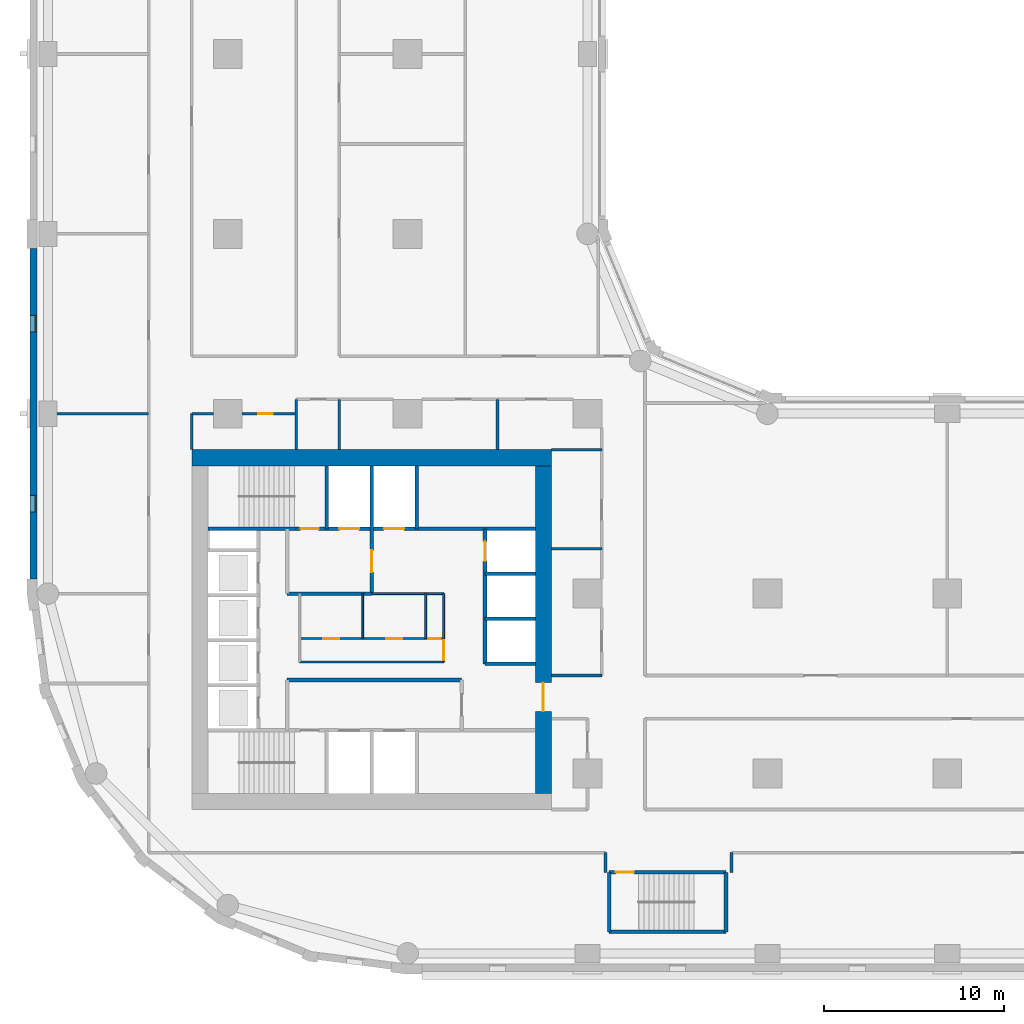
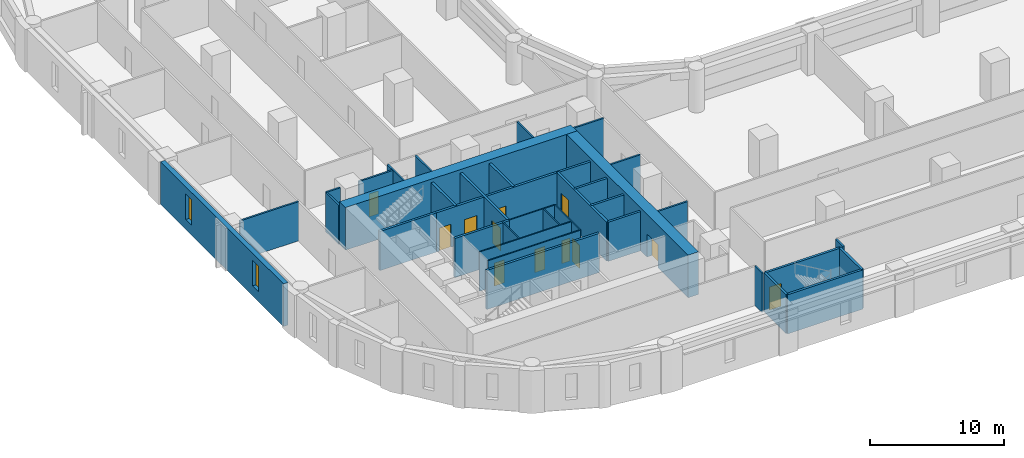
# One storey, part 3 of 10: 36 walls, 12 doors, 2 windows, 14 openings.
"""IFC4 building model written with IfcOpenShell, lengths in metres."""

from ifc_helpers import new_model, si_unit, direction, frame, frame_2d, origin, place, context, subcontext, project, spatial, rectangle, extrude, material, layer, layer_set, type_object, element, fill, save


model = new_model("IFC4")

# Units and contexts
model_context = context("Model", 3, precision=1e-05, world=origin(), true_north=direction((0.0, 1.0)))
body_context = subcontext(model_context, "Body", "Model", "MODEL_VIEW")
ifc_project = project(units=[si_unit("LENGTHUNIT", "METRE"), si_unit("AREAUNIT", "SQUARE_METRE"), si_unit("VOLUMEUNIT", "CUBIC_METRE"), si_unit("PLANEANGLEUNIT", "RADIAN"), si_unit("MASSUNIT", "GRAM", prefix="KILO")], contexts=[model_context])

# Site, building, storey
site_placement = place(None, origin())
site = spatial("IfcSite", under=ifc_project, at=site_placement, CompositionType="ELEMENT")
building_placement = place(site_placement, origin())
building = spatial("IfcBuilding", under=site, at=building_placement, Name="Qaws Garden Tower", CompositionType="ELEMENT")
storey_placement = place(building_placement, frame((0.0, 0.0, 66.60009765625)))
storey = spatial("IfcBuildingStorey", under=building, at=storey_placement, Name="L16", CompositionType="ELEMENT", Elevation=66.60009765625)

# Wall, openings, windows
ifc_material_1 = material(Name="Clay facing brick masonry", Category="masonry")
ifc_layer_1 = layer(ifc_material_1, 0.39990234375)
ifc_layer_set_1 = layer_set([ifc_layer_1], Name="Clay facing brick masonry")
wall_type_1 = type_object("IfcWallType", Name="Brick infill wall 400", PredefinedType="SOLIDWALL", material=ifc_layer_set_1)
wall_1_placement = place(storey_placement, frame((-0.800048828125, 39.199951171875, 0.0), z_axis=(0.0, 0.0, 1.0), x_axis=(0.0, -1.0, 0.0)))
wall_1 = element("IfcWall", 1, at=wall_1_placement, inside=storey, type_object=wall_type_1, Name="E-L16-infill-25", PredefinedType="SOLIDWALL", context=body_context, shape_type="SweptSolid", body=[
    extrude(rectangle(XDim=18.39990234375, YDim=0.39990234375, at=frame_2d((9.199951171875, 0.0))), origin(), (0.0, 0.0, 1.0), 3.89990234375),
])
opening_1_placement = place(wall_1_placement, frame((3.75, 0.0, 0.89990234375)))
opening_1 = element("IfcOpeningElement", 2, at=opening_1_placement, cuts=wall_1, Name="Opening W09", PredefinedType="OPENING", context=body_context, shape_type="SweptSolid", body=[
    extrude(rectangle(XDim=0.89990234375, YDim=2.35009765625, at=frame_2d((0.449951171875, 1.175048828125))), frame((0.0, 0.2099609375, 0.0), z_axis=(0.0, -1.0, 0.0), x_axis=(1.0, 0.0, 0.0)), (0.0, 0.0, 1.0), 0.419921875),
])
opening_2_placement = place(wall_1_placement, frame((13.75, 0.0, 0.89990234375)))
opening_2 = element("IfcOpeningElement", 3, at=opening_2_placement, cuts=wall_1, Name="Opening W09", PredefinedType="OPENING", context=body_context, shape_type="SweptSolid", body=[
    extrude(rectangle(XDim=0.89990234375, YDim=2.35009765625, at=frame_2d((0.449951171875, 1.175048828125))), frame((0.0, 0.2099609375, 0.0), z_axis=(0.0, -1.0, 0.0), x_axis=(1.0, 0.0, 0.0)), (0.0, 0.0, 1.0), 0.419921875),
])
ifc_material_2 = material(Name="Aluminium framed window, clear glazing", Category="aluminium")
window_type = type_object("IfcWindowType", Name="Slit window 900 x 2350", PartitioningType="SINGLE_PANEL", PredefinedType="WINDOW", material=ifc_material_2)
window_1_placement = place(opening_1_placement, origin())
window_1 = element("IfcWindow", 4, at=window_1_placement, inside=storey, type_object=window_type, Name="E-L16-window-25-0", OverallHeight=2.35009765625, OverallWidth=0.89990234375, PartitioningType="SINGLE_PANEL", PredefinedType="WINDOW", context=body_context, shape_type="SweptSolid", body=[
    extrude(rectangle(XDim=0.89990234375, YDim=2.35009765625, at=frame_2d((0.449951171875, 1.175048828125))), frame((0.0, 0.159912109375, 0.0), z_axis=(0.0, -1.0, 0.0), x_axis=(1.0, 0.0, 0.0)), (0.0, 0.0, 1.0), 0.06005859375),
])
fill(opening_1, window_1)
window_2_placement = place(opening_2_placement, origin())
window_2 = element("IfcWindow", 5, at=window_2_placement, inside=storey, type_object=window_type, Name="E-L16-window-26-0", OverallHeight=2.35009765625, OverallWidth=0.89990234375, PartitioningType="SINGLE_PANEL", PredefinedType="WINDOW", context=body_context, shape_type="SweptSolid", body=[
    extrude(rectangle(XDim=0.89990234375, YDim=2.35009765625, at=frame_2d((0.449951171875, 1.175048828125))), frame((0.0, 0.159912109375, 0.0), z_axis=(0.0, -1.0, 0.0), x_axis=(1.0, 0.0, 0.0)), (0.0, 0.0, 1.0), 0.06005859375),
])
fill(opening_2, window_2)

# Wall
ifc_material_3 = material(Name="Plasterboard")
ifc_layer_2 = layer(ifc_material_3, 0.10009765625)
ifc_layer_set_2 = layer_set([ifc_layer_2], Name="Plasterboard")
wall_type_2 = type_object("IfcWallType", Name="Core partition 100", PredefinedType="PARTITIONING", material=ifc_layer_set_2)
wall_2_placement = place(storey_placement, frame((14.0, 16.199951171875, 0.0), z_axis=(0.0, 0.0, 1.0), x_axis=(1.0, 0.0, 0.0)))
element("IfcWall", 6, at=wall_2_placement, inside=storey, type_object=wall_type_2, Name="Core partition", PredefinedType="PARTITIONING", context=body_context, shape_type="SweptSolid", body=[
    extrude(rectangle(XDim=8.0, YDim=0.10009765625, at=frame_2d((4.0, 0.0))), origin(), (0.0, 0.0, 1.0), 3.579833984375),
])

# Wall, openings, doors
wall_3_placement = place(storey_placement, frame((14.0, 17.5, 0.0), z_axis=(0.0, 0.0, 1.0), x_axis=(1.0, 0.0, 0.0)))
wall_3 = element("IfcWall", 7, at=wall_3_placement, inside=storey, type_object=wall_type_2, Name="Core partition", PredefinedType="PARTITIONING", context=body_context, shape_type="SweptSolid", body=[
    extrude(rectangle(XDim=8.0, YDim=0.10009765625, at=frame_2d((4.0, 0.0))), origin(), (0.0, 0.0, 1.0), 3.579833984375),
])
opening_3_placement = place(wall_3_placement, frame((1.300048828125, 0.0, 0.0)))
opening_3 = element("IfcOpeningElement", 8, at=opening_3_placement, cuts=wall_3, Name="Opening WD18", PredefinedType="OPENING", context=body_context, shape_type="SweptSolid", body=[
    extrude(rectangle(XDim=0.89990234375, YDim=2.10009765625, at=frame_2d((0.449951171875, 1.050048828125))), frame((0.0, 0.06005859375, 0.0), z_axis=(0.0, -1.0, 0.0), x_axis=(1.0, 0.0, 0.0)), (0.0, 0.0, 1.0), 0.1201171875),
])
opening_4_placement = place(wall_3_placement, frame((4.800048828125, 0.0, 0.0)))
opening_4 = element("IfcOpeningElement", 9, at=opening_4_placement, cuts=wall_3, Name="Opening WD19", PredefinedType="OPENING", context=body_context, shape_type="SweptSolid", body=[
    extrude(rectangle(XDim=0.89990234375, YDim=2.10009765625, at=frame_2d((0.449951171875, 1.050048828125))), frame((0.0, 0.06005859375, 0.0), z_axis=(0.0, -1.0, 0.0), x_axis=(1.0, 0.0, 0.0)), (0.0, 0.0, 1.0), 0.1201171875),
])
opening_5_placement = place(wall_3_placement, frame((7.14990234375, 0.0, 0.0)))
opening_5 = element("IfcOpeningElement", 10, at=opening_5_placement, cuts=wall_3, Name="Opening XD20", PredefinedType="OPENING", context=body_context, shape_type="SweptSolid", body=[
    extrude(rectangle(XDim=0.699951171875, YDim=2.10009765625, at=frame_2d((0.35009765625, 1.050048828125))), frame((0.0, 0.06005859375, 0.0), z_axis=(0.0, -1.0, 0.0), x_axis=(1.0, 0.0, 0.0)), (0.0, 0.0, 1.0), 0.1201171875),
])
ifc_material_4 = material(Name="Timber", Category="wood")
door_type_1 = type_object("IfcDoorType", Name="Store door 700x2100", OperationType="SINGLE_SWING_LEFT", PredefinedType="DOOR", material=ifc_material_4)
door_1_placement = place(opening_5_placement, origin())
door_1 = element("IfcDoor", 11, at=door_1_placement, inside=storey, type_object=door_type_1, Name="Cleaner's store door", OperationType="SINGLE_SWING_RIGHT", OverallHeight=2.10009765625, OverallWidth=0.699951171875, PredefinedType="DOOR", context=body_context, shape_type="SweptSolid", body=[
    extrude(rectangle(XDim=0.699951171875, YDim=2.10009765625, at=frame_2d((0.35009765625, 1.050048828125))), frame((0.0, 0.02490234375, 0.0), z_axis=(0.0, -1.0, 0.0), x_axis=(1.0, 0.0, 0.0)), (0.0, 0.0, 1.0), 0.050048828125),
])
fill(opening_5, door_1)
ifc_material_5 = material(Name="Timber", Category="wood")
door_type_2 = type_object("IfcDoorType", Name="WC door 900x2100", OperationType="SINGLE_SWING_LEFT", PredefinedType="DOOR", material=ifc_material_5)
door_2_placement = place(opening_3_placement, origin())
door_2 = element("IfcDoor", 12, at=door_2_placement, inside=storey, type_object=door_type_2, Name="Men's WC door", OperationType="SINGLE_SWING_RIGHT", OverallHeight=2.10009765625, OverallWidth=0.89990234375, PredefinedType="DOOR", context=body_context, shape_type="SweptSolid", body=[
    extrude(rectangle(XDim=0.89990234375, YDim=2.10009765625, at=frame_2d((0.449951171875, 1.050048828125))), frame((0.0, 0.02490234375, 0.0), z_axis=(0.0, -1.0, 0.0), x_axis=(1.0, 0.0, 0.0)), (0.0, 0.0, 1.0), 0.050048828125),
])
fill(opening_3, door_2)
door_3_placement = place(opening_4_placement, origin())
door_3 = element("IfcDoor", 13, at=door_3_placement, inside=storey, type_object=door_type_2, Name="Women's WC door", OperationType="SINGLE_SWING_RIGHT", OverallHeight=2.10009765625, OverallWidth=0.89990234375, PredefinedType="DOOR", context=body_context, shape_type="SweptSolid", body=[
    extrude(rectangle(XDim=0.89990234375, YDim=2.10009765625, at=frame_2d((0.449951171875, 1.050048828125))), frame((0.0, 0.02490234375, 0.0), z_axis=(0.0, -1.0, 0.0), x_axis=(1.0, 0.0, 0.0)), (0.0, 0.0, 1.0), 0.050048828125),
])
fill(opening_4, door_3)

# Walls
wall_4_placement = place(storey_placement, frame((18.0, 20.0, 0.0), z_axis=(0.0, 0.0, 1.0), x_axis=(1.0, 0.0, 0.0)))
element("IfcWall", 14, at=wall_4_placement, inside=storey, type_object=wall_type_2, Name="Core partition", PredefinedType="PARTITIONING", context=body_context, shape_type="SweptSolid", body=[
    extrude(rectangle(XDim=4.0, YDim=0.10009765625, at=frame_2d((2.0, 0.0))), origin(), (0.0, 0.0, 1.0), 3.579833984375),
])
for number, where, z_axis, x_axis, name in (
    (15, (17.5, 17.5, 0.0), (0.0, 0.0, 1.0), (0.0, 1.0, 0.0), "Core partition"),
    (16, (21.0, 17.5, 0.0), (0.0, 0.0, 1.0), (0.0, 1.0, 0.0), "Core partition"),
):
    element("IfcWall", number, at=place(storey_placement, frame(where, z_axis=z_axis, x_axis=x_axis)), inside=storey, type_object=wall_type_2, Name=name, PredefinedType="PARTITIONING", context=body_context, shape_type="SweptSolid", body=[
        extrude(rectangle(XDim=2.5, YDim=0.10009765625, at=frame_2d((1.25, 0.0))), origin(), (0.0, 0.0, 1.0), 3.579833984375),
    ])

# Wall, opening, door
wall_5_placement = place(storey_placement, frame((22.0, 16.199951171875, 0.0), z_axis=(0.0, 0.0, 1.0), x_axis=(0.0, 1.0, 0.0)))
wall_5 = element("IfcWall", 17, at=wall_5_placement, inside=storey, type_object=wall_type_2, Name="Core partition", PredefinedType="PARTITIONING", context=body_context, shape_type="SweptSolid", body=[
    extrude(rectangle(XDim=3.800048828125, YDim=0.10009765625, at=frame_2d((1.89990234375, 0.0))), origin(), (0.0, 0.0, 1.0), 3.579833984375),
])
opening_6_placement = place(wall_5_placement, frame((0.10009765625, 0.0, 0.0)))
opening_6 = element("IfcOpeningElement", 18, at=opening_6_placement, cuts=wall_5, Name="Opening WL17", PredefinedType="OPENING", context=body_context, shape_type="SweptSolid", body=[
    extrude(rectangle(XDim=1.10009765625, YDim=2.10009765625, at=frame_2d((0.550048828125, 1.050048828125))), frame((0.0, 0.06005859375, 0.0), z_axis=(0.0, -1.0, 0.0), x_axis=(1.0, 0.0, 0.0)), (0.0, 0.0, 1.0), 0.1201171875),
])
ifc_material_6 = material(Name="Timber", Category="wood")
door_type_3 = type_object("IfcDoorType", Name="WC lobby door 1100x2100", OperationType="SINGLE_SWING_LEFT", PredefinedType="DOOR", material=ifc_material_6)
door_4_placement = place(opening_6_placement, origin())
door_4 = element("IfcDoor", 19, at=door_4_placement, inside=storey, type_object=door_type_3, Name="WC lobby door", OperationType="SINGLE_SWING_RIGHT", OverallHeight=2.10009765625, OverallWidth=1.10009765625, PredefinedType="DOOR", context=body_context, shape_type="SweptSolid", body=[
    extrude(rectangle(XDim=1.10009765625, YDim=2.10009765625, at=frame_2d((0.550048828125, 1.050048828125))), frame((0.0, 0.02490234375, 0.0), z_axis=(0.0, -1.0, 0.0), x_axis=(1.0, 0.0, 0.0)), (0.0, 0.0, 1.0), 0.050048828125),
])
fill(opening_6, door_4)

# Wall
ifc_material_7 = material(Name="Concrete C80", Category="concrete")
ifc_layer_3 = layer(ifc_material_7, 0.199951171875)
ifc_layer_set_3 = layer_set([ifc_layer_3], Name="Concrete C80")
wall_type_3 = type_object("IfcWallType", Name="Core shaft wall 200 C80", PredefinedType="SHEAR", material=ifc_layer_set_3)
wall_6_placement = place(storey_placement, frame((31.199951171875, 1.199951171875, 0.0), z_axis=(0.0, 0.0, 1.0), x_axis=(1.0, 0.0, 0.0)))
element("IfcWall", 20, at=wall_6_placement, inside=storey, type_object=wall_type_3, Name="Shaft wall", PredefinedType="SHEAR", context=body_context, shape_type="SweptSolid", body=[
    extrude(rectangle(XDim=6.5, YDim=0.199951171875, at=frame_2d((3.25, 0.0))), origin(), (0.0, 0.0, 1.0), 3.579833984375),
])

# Wall, opening, door
wall_7_placement = place(storey_placement, frame((31.199951171875, 4.5, 0.0), z_axis=(0.0, 0.0, 1.0), x_axis=(1.0, 0.0, 0.0)))
wall_7 = element("IfcWall", 21, at=wall_7_placement, inside=storey, type_object=wall_type_3, Name="Shaft wall", PredefinedType="SHEAR", context=body_context, shape_type="SweptSolid", body=[
    extrude(rectangle(XDim=6.5, YDim=0.199951171875, at=frame_2d((3.25, 0.0))), origin(), (0.0, 0.0, 1.0), 3.579833984375),
])
opening_7_placement = place(wall_7_placement, frame((0.375, 0.0, 0.0)))
opening_7 = element("IfcOpeningElement", 22, at=opening_7_placement, cuts=wall_7, Name="Opening SD12", PredefinedType="OPENING", context=body_context, shape_type="SweptSolid", body=[
    extrude(rectangle(XDim=1.0, YDim=2.10009765625, at=frame_2d((0.5, 1.050048828125))), frame((0.0, 0.10986328125, 0.0), z_axis=(0.0, -1.0, 0.0), x_axis=(1.0, 0.0, 0.0)), (0.0, 0.0, 1.0), 0.219970703125),
])
ifc_material_8 = material(Name="Steel S235", Category="steel")
door_type_4 = type_object("IfcDoorType", Name="Stair door 1000x2100", OperationType="SINGLE_SWING_RIGHT", PredefinedType="DOOR", material=ifc_material_8)
door_5_placement = place(opening_7_placement, frame((1.0, 0.0, 0.0), z_axis=(0.0, 0.0, 1.0), x_axis=(-1.0, 0.0, 0.0)))
door_5 = element("IfcDoor", 23, at=door_5_placement, inside=storey, type_object=door_type_4, Name="Stair 5 door", OperationType="SINGLE_SWING_RIGHT", OverallHeight=2.10009765625, OverallWidth=1.0, PredefinedType="DOOR", context=body_context, shape_type="SweptSolid", body=[
    extrude(rectangle(XDim=1.0, YDim=2.10009765625, at=frame_2d((0.5, 1.050048828125))), frame((0.0, 0.02490234375, 0.0), z_axis=(0.0, -1.0, 0.0), x_axis=(1.0, 0.0, 0.0)), (0.0, 0.0, 1.0), 0.050048828125),
])
fill(opening_7, door_5)

# Walls
wall_8_placement = place(storey_placement, frame((13.300048828125, 15.199951171875, 0.0), z_axis=(0.0, 0.0, 1.0), x_axis=(1.0, 0.0, 0.0)))
element("IfcWall", 24, at=wall_8_placement, inside=storey, type_object=wall_type_3, Name="Shaft wall", PredefinedType="SHEAR", context=body_context, shape_type="SweptSolid", body=[
    extrude(rectangle(XDim=9.699951171875, YDim=0.199951171875, at=frame_2d((4.85009765625, 0.0))), origin(), (0.0, 0.0, 1.0), 3.579833984375),
])
for number, where, z_axis, x_axis, name in (
    (25, (24.300048828125, 16.10009765625, 0.0), (0.0, 0.0, 1.0), (1.0, 0.0, 0.0), "Shaft wall"),
    (26, (24.300048828125, 18.60009765625, 0.0), (0.0, 0.0, 1.0), (1.0, 0.0, 0.0), "Shaft wall"),
):
    element("IfcWall", number, at=place(storey_placement, frame(where, z_axis=z_axis, x_axis=x_axis)), inside=storey, type_object=wall_type_3, Name=name, PredefinedType="SHEAR", context=body_context, shape_type="SweptSolid", body=[
        extrude(rectangle(XDim=2.800048828125, YDim=0.199951171875, at=frame_2d((1.39990234375, 0.0))), origin(), (0.0, 0.0, 1.0), 3.579833984375),
    ])
wall_9_placement = place(storey_placement, frame((13.300048828125, 20.0, 0.0), z_axis=(0.0, 0.0, 1.0), x_axis=(1.0, 0.0, 0.0)))
element("IfcWall", 27, at=wall_9_placement, inside=storey, type_object=wall_type_3, Name="Shaft wall", PredefinedType="SHEAR", context=body_context, shape_type="SweptSolid", body=[
    extrude(rectangle(XDim=4.699951171875, YDim=0.199951171875, at=frame_2d((2.35009765625, 0.0))), origin(), (0.0, 0.0, 1.0), 3.579833984375),
])
wall_10_placement = place(storey_placement, frame((24.300048828125, 21.10009765625, 0.0), z_axis=(0.0, 0.0, 1.0), x_axis=(1.0, 0.0, 0.0)))
element("IfcWall", 28, at=wall_10_placement, inside=storey, type_object=wall_type_3, Name="Shaft wall", PredefinedType="SHEAR", context=body_context, shape_type="SweptSolid", body=[
    extrude(rectangle(XDim=2.800048828125, YDim=0.199951171875, at=frame_2d((1.39990234375, 0.0))), origin(), (0.0, 0.0, 1.0), 3.579833984375),
])
wall_11_placement = place(storey_placement, frame((8.89990234375, 23.60009765625, 0.0), z_axis=(0.0, 0.0, 1.0), x_axis=(1.0, 0.0, 0.0)))
element("IfcWall", 29, at=wall_11_placement, inside=storey, type_object=wall_type_3, Name="Shaft wall", PredefinedType="SHEAR", context=body_context, shape_type="SweptSolid", body=[
    extrude(rectangle(XDim=4.900146484375, YDim=0.199951171875, at=frame_2d((2.4501953125, 0.0))), origin(), (0.0, 0.0, 1.0), 3.579833984375),
])

# Wall, openings, doors
wall_12_placement = place(storey_placement, frame((13.800048828125, 23.60009765625, 0.0), z_axis=(0.0, 0.0, 1.0), x_axis=(1.0, 0.0, 0.0)))
wall_12 = element("IfcWall", 30, at=wall_12_placement, inside=storey, type_object=wall_type_3, Name="Shaft wall", PredefinedType="SHEAR", context=body_context, shape_type="SweptSolid", body=[
    extrude(rectangle(XDim=13.300048828125, YDim=0.199951171875, at=frame_2d((6.64990234375, 0.0))), origin(), (0.0, 0.0, 1.0), 3.579833984375),
])
opening_8_placement = place(wall_12_placement, frame((2.39990234375, 0.0, 0.0)))
opening_8 = element("IfcOpeningElement", 31, at=opening_8_placement, cuts=wall_12, Name="Opening LD08", PredefinedType="OPENING", context=body_context, shape_type="SweptSolid", body=[
    extrude(rectangle(XDim=1.10009765625, YDim=2.10009765625, at=frame_2d((0.550048828125, 1.050048828125))), frame((0.0, 0.10986328125, 0.0), z_axis=(0.0, -1.0, 0.0), x_axis=(1.0, 0.0, 0.0)), (0.0, 0.0, 1.0), 0.219970703125),
])
opening_9_placement = place(wall_12_placement, frame((4.89990234375, 0.0, 0.0)))
opening_9 = element("IfcOpeningElement", 32, at=opening_9_placement, cuts=wall_12, Name="Opening LD09", PredefinedType="OPENING", context=body_context, shape_type="SweptSolid", body=[
    extrude(rectangle(XDim=1.10009765625, YDim=2.10009765625, at=frame_2d((0.550048828125, 1.050048828125))), frame((0.0, 0.10986328125, 0.0), z_axis=(0.0, -1.0, 0.0), x_axis=(1.0, 0.0, 0.0)), (0.0, 0.0, 1.0), 0.219970703125),
])
opening_10_placement = place(wall_12_placement, frame((0.25, 0.0, 0.0)))
opening_10 = element("IfcOpeningElement", 33, at=opening_10_placement, cuts=wall_12, Name="Opening SD11", PredefinedType="OPENING", context=body_context, shape_type="SweptSolid", body=[
    extrude(rectangle(XDim=1.0, YDim=2.10009765625, at=frame_2d((0.5, 1.050048828125))), frame((0.0, 0.10986328125, 0.0), z_axis=(0.0, -1.0, 0.0), x_axis=(1.0, 0.0, 0.0)), (0.0, 0.0, 1.0), 0.219970703125),
])
ifc_material_9 = material(Name="Steel S235", Category="steel")
door_type_5 = type_object("IfcDoorType", Name="Landing door 1100x2100", OperationType="DOUBLE_DOOR_SLIDING", PredefinedType="DOOR", material=ifc_material_9)
door_6_placement = place(opening_8_placement, origin())
door_6 = element("IfcDoor", 34, at=door_6_placement, inside=storey, type_object=door_type_5, Name="Lift FF3 landing door", OperationType="DOUBLE_DOOR_SLIDING", OverallHeight=2.10009765625, OverallWidth=1.10009765625, PredefinedType="DOOR", context=body_context, shape_type="SweptSolid", body=[
    extrude(rectangle(XDim=1.10009765625, YDim=2.10009765625, at=frame_2d((0.550048828125, 1.050048828125))), frame((0.0, 0.02490234375, 0.0), z_axis=(0.0, -1.0, 0.0), x_axis=(1.0, 0.0, 0.0)), (0.0, 0.0, 1.0), 0.050048828125),
])
fill(opening_8, door_6)
door_7_placement = place(opening_9_placement, origin())
door_7 = element("IfcDoor", 35, at=door_7_placement, inside=storey, type_object=door_type_5, Name="Lift SV2 landing door", OperationType="DOUBLE_DOOR_SLIDING", OverallHeight=2.10009765625, OverallWidth=1.10009765625, PredefinedType="DOOR", context=body_context, shape_type="SweptSolid", body=[
    extrude(rectangle(XDim=1.10009765625, YDim=2.10009765625, at=frame_2d((0.550048828125, 1.050048828125))), frame((0.0, 0.02490234375, 0.0), z_axis=(0.0, -1.0, 0.0), x_axis=(1.0, 0.0, 0.0)), (0.0, 0.0, 1.0), 0.050048828125),
])
fill(opening_9, door_7)
door_8_placement = place(opening_10_placement, origin())
door_8 = element("IfcDoor", 36, at=door_8_placement, inside=storey, type_object=door_type_4, Name="Stair 4 door", OperationType="SINGLE_SWING_RIGHT", OverallHeight=2.10009765625, OverallWidth=1.0, PredefinedType="DOOR", context=body_context, shape_type="SweptSolid", body=[
    extrude(rectangle(XDim=1.0, YDim=2.10009765625, at=frame_2d((0.5, 1.050048828125))), frame((0.0, 0.02490234375, 0.0), z_axis=(0.0, -1.0, 0.0), x_axis=(1.0, 0.0, 0.0)), (0.0, 0.0, 1.0), 0.050048828125),
])
fill(opening_10, door_8)

# Wall
wall_13_placement = place(storey_placement, frame((15.5, 23.60009765625, 0.0), z_axis=(0.0, 0.0, 1.0), x_axis=(0.0, 1.0, 0.0)))
element("IfcWall", 37, at=wall_13_placement, inside=storey, type_object=wall_type_3, Name="Shaft wall", PredefinedType="SHEAR", context=body_context, shape_type="SweptSolid", body=[
    extrude(rectangle(XDim=3.5, YDim=0.199951171875, at=frame_2d((1.75, 0.0))), origin(), (0.0, 0.0, 1.0), 3.579833984375),
])

# Wall, opening, door
wall_14_placement = place(storey_placement, frame((18.0, 20.0, 0.0), z_axis=(0.0, 0.0, 1.0), x_axis=(0.0, 1.0, 0.0)))
wall_14 = element("IfcWall", 38, at=wall_14_placement, inside=storey, type_object=wall_type_3, Name="Shaft wall", PredefinedType="SHEAR", context=body_context, shape_type="SweptSolid", body=[
    extrude(rectangle(XDim=7.10009765625, YDim=0.199951171875, at=frame_2d((3.550048828125, 0.0))), origin(), (0.0, 0.0, 1.0), 3.579833984375),
])
opening_11_placement = place(wall_14_placement, frame((1.199951171875, 0.0, 0.0)))
opening_11 = element("IfcOpeningElement", 39, at=opening_11_placement, cuts=wall_14, Name="Opening FD16", PredefinedType="OPENING", context=body_context, shape_type="SweptSolid", body=[
    extrude(rectangle(XDim=1.199951171875, YDim=2.10009765625, at=frame_2d((0.60009765625, 1.050048828125))), frame((0.0, 0.10986328125, 0.0), z_axis=(0.0, -1.0, 0.0), x_axis=(1.0, 0.0, 0.0)), (0.0, 0.0, 1.0), 0.219970703125),
])
ifc_material_10 = material(Name="Steel S235", Category="steel")
door_type_6 = type_object("IfcDoorType", Name="Lobby door 1200x2100", OperationType="DOUBLE_DOOR_SINGLE_SWING", PredefinedType="DOOR", material=ifc_material_10)
door_9_placement = place(opening_11_placement, origin())
door_9 = element("IfcDoor", 40, at=door_9_placement, inside=storey, type_object=door_type_6, Name="Fire-fighting lobby door", OperationType="DOUBLE_DOOR_SINGLE_SWING", OverallHeight=2.10009765625, OverallWidth=1.199951171875, PredefinedType="DOOR", context=body_context, shape_type="SweptSolid", body=[
    extrude(rectangle(XDim=1.199951171875, YDim=2.10009765625, at=frame_2d((0.60009765625, 1.050048828125))), frame((0.0, 0.02490234375, 0.0), z_axis=(0.0, -1.0, 0.0), x_axis=(1.0, 0.0, 0.0)), (0.0, 0.0, 1.0), 0.050048828125),
])
fill(opening_11, door_9)

# Wall
wall_15_placement = place(storey_placement, frame((20.5, 23.60009765625, 0.0), z_axis=(0.0, 0.0, 1.0), x_axis=(0.0, 1.0, 0.0)))
element("IfcWall", 41, at=wall_15_placement, inside=storey, type_object=wall_type_3, Name="Shaft wall", PredefinedType="SHEAR", context=body_context, shape_type="SweptSolid", body=[
    extrude(rectangle(XDim=3.5, YDim=0.199951171875, at=frame_2d((1.75, 0.0))), origin(), (0.0, 0.0, 1.0), 3.579833984375),
])

# Wall, opening, door
wall_16_placement = place(storey_placement, frame((24.300048828125, 16.10009765625, 0.0), z_axis=(0.0, 0.0, 1.0), x_axis=(0.0, 1.0, 0.0)))
wall_16 = element("IfcWall", 42, at=wall_16_placement, inside=storey, type_object=wall_type_3, Name="Shaft wall", PredefinedType="SHEAR", context=body_context, shape_type="SweptSolid", body=[
    extrude(rectangle(XDim=7.5, YDim=0.199951171875, at=frame_2d((3.75, 0.0))), origin(), (0.0, 0.0, 1.0), 3.579833984375),
])
opening_12_placement = place(wall_16_placement, frame((5.699951171875, 0.0, 0.0)))
opening_12 = element("IfcOpeningElement", 43, at=opening_12_placement, cuts=wall_16, Name="Opening LD05", PredefinedType="OPENING", context=body_context, shape_type="SweptSolid", body=[
    extrude(rectangle(XDim=1.10009765625, YDim=2.10009765625, at=frame_2d((0.550048828125, 1.050048828125))), frame((0.0, 0.10986328125, 0.0), z_axis=(0.0, -1.0, 0.0), x_axis=(1.0, 0.0, 0.0)), (0.0, 0.0, 1.0), 0.219970703125),
])
door_10_placement = place(opening_12_placement, origin())
door_10 = element("IfcDoor", 44, at=door_10_placement, inside=storey, type_object=door_type_5, Name="Lift E3 landing door", OperationType="DOUBLE_DOOR_SLIDING", OverallHeight=2.10009765625, OverallWidth=1.10009765625, PredefinedType="DOOR", context=body_context, shape_type="SweptSolid", body=[
    extrude(rectangle(XDim=1.10009765625, YDim=2.10009765625, at=frame_2d((0.550048828125, 1.050048828125))), frame((0.0, 0.02490234375, 0.0), z_axis=(0.0, -1.0, 0.0), x_axis=(1.0, 0.0, 0.0)), (0.0, 0.0, 1.0), 0.050048828125),
])
fill(opening_12, door_10)

# Walls
for number, where, z_axis, x_axis, name in (
    (45, (31.199951171875, 1.199951171875, 0.0), (0.0, 0.0, 1.0), (0.0, 1.0, 0.0), "Shaft wall"),
    (46, (37.699951171875, 1.199951171875, 0.0), (0.0, 0.0, 1.0), (0.0, 1.0, 0.0), "Shaft wall"),
):
    element("IfcWall", number, at=place(storey_placement, frame(where, z_axis=z_axis, x_axis=x_axis)), inside=storey, type_object=wall_type_3, Name=name, PredefinedType="SHEAR", context=body_context, shape_type="SweptSolid", body=[
        extrude(rectangle(XDim=3.300048828125, YDim=0.199951171875, at=frame_2d((1.64990234375, 0.0))), origin(), (0.0, 0.0, 1.0), 3.579833984375),
    ])

# Wall, opening, door
ifc_material_11 = material(Name="Concrete C80", Category="concrete")
ifc_layer_4 = layer(ifc_material_11, 0.89990234375)
ifc_layer_set_4 = layer_set([ifc_layer_4], Name="Concrete C80")
wall_type_4 = type_object("IfcWallType", Name="Core wall 900 C80", PredefinedType="SHEAR", material=ifc_layer_set_4)
wall_17_placement = place(storey_placement, frame((27.550048828125, 8.89990234375, 0.0), z_axis=(0.0, 0.0, 1.0), x_axis=(0.0, 1.0, 0.0)))
wall_17 = element("IfcWall", 47, at=wall_17_placement, inside=storey, type_object=wall_type_4, Name="Core wall L16 east", PredefinedType="SHEAR", context=body_context, shape_type="SweptSolid", body=[
    extrude(rectangle(XDim=18.2001953125, YDim=0.89990234375, at=frame_2d((9.10009765625, 0.0))), origin(), (0.0, 0.0, 1.0), 3.89990234375),
])
opening_13_placement = place(wall_17_placement, frame((4.550048828125, 0.0, 0.0)))
opening_13 = element("IfcOpeningElement", 48, at=opening_13_placement, cuts=wall_17, Name="Opening ED21", PredefinedType="OPENING", context=body_context, shape_type="SweptSolid", body=[
    extrude(rectangle(XDim=1.60009765625, YDim=2.10009765625, at=frame_2d((0.800048828125, 1.050048828125))), frame((0.0, 0.4599609375, 0.0), z_axis=(0.0, -1.0, 0.0), x_axis=(1.0, 0.0, 0.0)), (0.0, 0.0, 1.0), 0.919921875),
])
ifc_material_12 = material(Name="Steel S235", Category="steel")
door_type_7 = type_object("IfcDoorType", Name="Core entrance door 1600x2100", OperationType="DOUBLE_DOOR_SINGLE_SWING", PredefinedType="DOOR", material=ifc_material_12)
door_11_placement = place(opening_13_placement, origin())
door_11 = element("IfcDoor", 49, at=door_11_placement, inside=storey, type_object=door_type_7, Name="Core entrance door", OperationType="DOUBLE_DOOR_SINGLE_SWING", OverallHeight=2.10009765625, OverallWidth=1.60009765625, PredefinedType="DOOR", context=body_context, shape_type="SweptSolid", body=[
    extrude(rectangle(XDim=1.60009765625, YDim=2.10009765625, at=frame_2d((0.800048828125, 1.050048828125))), frame((0.0, 0.02490234375, 0.0), z_axis=(0.0, -1.0, 0.0), x_axis=(1.0, 0.0, 0.0)), (0.0, 0.0, 1.0), 0.050048828125),
])
fill(opening_13, door_11)

# Walls
wall_18_placement = place(storey_placement, frame((28.0, 27.550048828125, 0.0), z_axis=(0.0, 0.0, 1.0), x_axis=(-1.0, 0.0, 0.0)))
element("IfcWall", 50, at=wall_18_placement, inside=storey, type_object=wall_type_4, Name="Core wall L16 north", PredefinedType="SHEAR", context=body_context, shape_type="SweptSolid", body=[
    extrude(rectangle(XDim=20.0, YDim=0.89990234375, at=frame_2d((10.0, 0.0))), origin(), (0.0, 0.0, 1.0), 3.89990234375),
])
ifc_material_13 = material(Name="Gypsum board partition")
ifc_layer_5 = layer(ifc_material_13, 0.14990234375)
ifc_layer_set_5 = layer_set([ifc_layer_5], Name="Gypsum board partition")
wall_type_5 = type_object("IfcWallType", Name="PARTITION 150 EI 60", PredefinedType="PARTITIONING", material=ifc_layer_set_5)
wall_19_placement = place(storey_placement, frame((8.0, 28.0, 0.0), z_axis=(0.0, 0.0, 1.0), x_axis=(0.0, 1.0, 0.0)))
element("IfcWall", 51, at=wall_19_placement, inside=storey, type_object=wall_type_5, Name="O-L16-wall-002", PredefinedType="PARTITIONING", context=body_context, shape_type="SweptSolid", body=[
    extrude(rectangle(XDim=2.0, YDim=0.14990234375, at=frame_2d((1.0, 0.0))), origin(), (0.0, 0.0, 1.0), 3.579833984375),
])
for number, where, z_axis, x_axis, name in (
    (52, (13.800048828125, 28.0, 0.0), (0.0, 0.0, 1.0), (0.0, 1.0, 0.0), "O-L16-wall-005"),
    (53, (16.199951171875, 28.0, 0.0), (0.0, 0.0, 1.0), (0.0, 1.0, 0.0), "O-L16-wall-007"),
    (54, (25.0, 28.0, 0.0), (0.0, 0.0, 1.0), (0.0, 1.0, 0.0), "O-L16-wall-011"),
):
    element("IfcWall", number, at=place(storey_placement, frame(where, z_axis=z_axis, x_axis=x_axis)), inside=storey, type_object=wall_type_5, Name=name, PredefinedType="PARTITIONING", context=body_context, shape_type="SweptSolid", body=[
        extrude(rectangle(XDim=2.800048828125, YDim=0.14990234375, at=frame_2d((1.39990234375, 0.0))), origin(), (0.0, 0.0, 1.0), 3.579833984375),
    ])
for number, where, z_axis, x_axis, name in (
    (55, (31.0, 4.5, 0.0), (0.0, 0.0, 1.0), (0.0, 1.0, 0.0), "O-L16-wall-018"),
    (56, (38.0, 4.5, 0.0), (0.0, 0.0, 1.0), (0.0, 1.0, 0.0), "O-L16-wall-021"),
):
    element("IfcWall", number, at=place(storey_placement, frame(where, z_axis=z_axis, x_axis=x_axis)), inside=storey, type_object=wall_type_5, Name=name, PredefinedType="PARTITIONING", context=body_context, shape_type="SweptSolid", body=[
        extrude(rectangle(XDim=1.10009765625, YDim=0.14990234375, at=frame_2d((0.550048828125, 0.0))), origin(), (0.0, 0.0, 1.0), 3.579833984375),
    ])
for number, where, z_axis, x_axis, name in (
    (57, (28.0, 15.449951171875, 0.0), (0.0, 0.0, 1.0), (1.0, 0.0, 0.0), "O-L16-wall-033"),
    (58, (28.0, 22.5, 0.0), (0.0, 0.0, 1.0), (1.0, 0.0, 0.0), "O-L16-wall-036"),
    (59, (28.0, 28.0, 0.0), (0.0, 0.0, 1.0), (1.0, 0.0, 0.0), "O-L16-wall-037"),
):
    element("IfcWall", number, at=place(storey_placement, frame(where, z_axis=z_axis, x_axis=x_axis)), inside=storey, type_object=wall_type_5, Name=name, PredefinedType="PARTITIONING", context=body_context, shape_type="SweptSolid", body=[
        extrude(rectangle(XDim=2.800048828125, YDim=0.14990234375, at=frame_2d((1.39990234375, 0.0))), origin(), (0.0, 0.0, 1.0), 3.579833984375),
    ])
wall_20_placement = place(storey_placement, frame((0.5, 30.0, 0.0), z_axis=(0.0, 0.0, 1.0), x_axis=(1.0, 0.0, 0.0)))
element("IfcWall", 60, at=wall_20_placement, inside=storey, type_object=wall_type_5, Name="O-L16-wall-038", PredefinedType="PARTITIONING", context=body_context, shape_type="SweptSolid", body=[
    extrude(rectangle(XDim=5.10009765625, YDim=0.14990234375, at=frame_2d((2.550048828125, 0.0))), origin(), (0.0, 0.0, 1.0), 3.579833984375),
])
wall_21_placement = place(storey_placement, frame((8.0, 30.0, 0.0), z_axis=(0.0, 0.0, 1.0), x_axis=(1.0, 0.0, 0.0)))
element("IfcWall", 61, at=wall_21_placement, inside=storey, type_object=wall_type_5, Name="O-L16-wall-039", PredefinedType="PARTITIONING", context=body_context, shape_type="SweptSolid", body=[
    extrude(rectangle(XDim=1.199951171875, YDim=0.14990234375, at=frame_2d((0.60009765625, 0.0))), origin(), (0.0, 0.0, 1.0), 3.579833984375),
])

# Wall, opening, door
wall_22_placement = place(storey_placement, frame((10.800048828125, 30.0, 0.0), z_axis=(0.0, 0.0, 1.0), x_axis=(1.0, 0.0, 0.0)))
wall_22 = element("IfcWall", 62, at=wall_22_placement, inside=storey, type_object=wall_type_5, Name="O-L16-wall-040", PredefinedType="PARTITIONING", context=body_context, shape_type="SweptSolid", body=[
    extrude(rectangle(XDim=3.0, YDim=0.14990234375, at=frame_2d((1.5, 0.0))), origin(), (0.0, 0.0, 1.0), 3.579833984375),
])
opening_14_placement = place(wall_22_placement, frame((0.89990234375, 0.0, 0.0)))
opening_14 = element("IfcOpeningElement", 63, at=opening_14_placement, cuts=wall_22, Name="Opening A505", PredefinedType="OPENING", context=body_context, shape_type="SweptSolid", body=[
    extrude(rectangle(XDim=0.800048828125, YDim=2.10009765625, at=frame_2d((0.39990234375, 1.050048828125))), frame((0.0, 0.0849609375, 0.0), z_axis=(0.0, -1.0, 0.0), x_axis=(1.0, 0.0, 0.0)), (0.0, 0.0, 1.0), 0.169921875),
])
ifc_material_14 = material(Name="Timber door leaf", Category="wood")
door_type_8 = type_object("IfcDoorType", Name="STORE DOOR 800 X 2100", OperationType="SINGLE_SWING_LEFT", PredefinedType="DOOR", material=ifc_material_14)
door_12_placement = place(opening_14_placement, frame((0.800048828125, 0.0, 0.0), z_axis=(0.0, 0.0, 1.0), x_axis=(-1.0, 0.0, 0.0)))
door_12 = element("IfcDoor", 64, at=door_12_placement, inside=storey, type_object=door_type_8, Name="O-L16-door-005", OperationType="SINGLE_SWING_RIGHT", OverallHeight=2.10009765625, OverallWidth=0.800048828125, PredefinedType="DOOR", context=body_context, shape_type="SweptSolid", body=[
    extrude(rectangle(XDim=0.800048828125, YDim=2.10009765625, at=frame_2d((0.39990234375, 1.050048828125))), frame((0.0, 0.02490234375, 0.0), z_axis=(0.0, -1.0, 0.0), x_axis=(1.0, 0.0, 0.0)), (0.0, 0.0, 1.0), 0.050048828125),
])
fill(opening_14, door_12)

save(model, "model.ifc")
